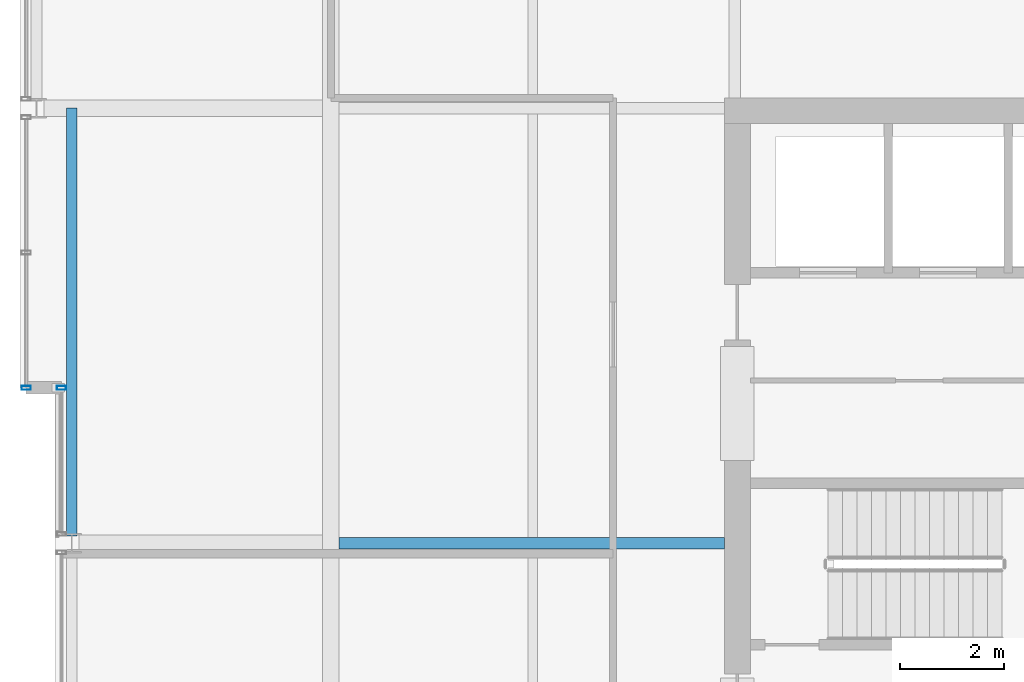
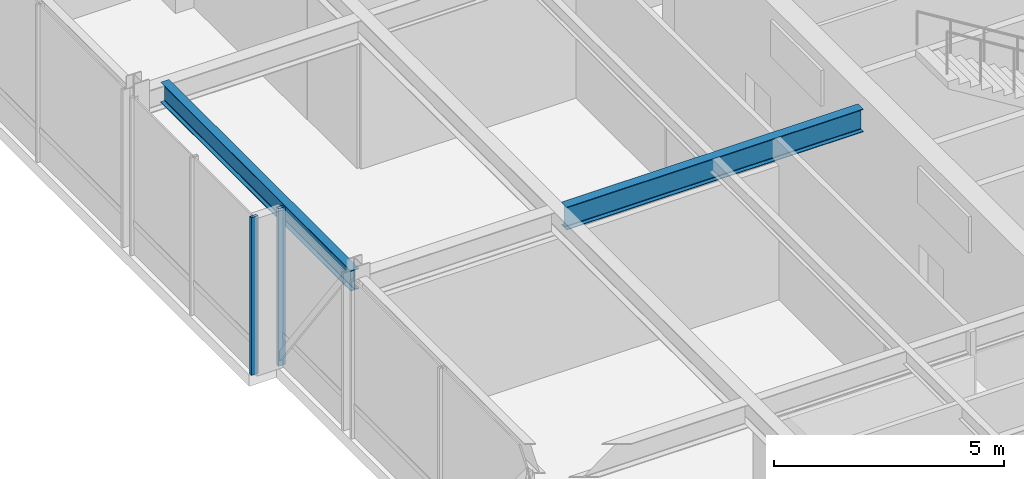
# One storey, part 11 of 32: 2 beams, 2 members, 2 elements without a shape of their own.
"""IFC4 building model written with IfcOpenShell, lengths in metres."""

from ifc_helpers import new_model, si_unit, direction, frame, origin, origin_2d, place, context, subcontext, project, spatial, hollow_rectangle, i_section, extrude, material, layer, layer_set, material_profile, profile_set, type_object, element, aggregate, save


model = new_model("IFC4")

# Units and contexts
model_context = context("Model", 3, precision=1e-05, world=origin(), true_north=direction((0.0, 1.0)))
body_context = subcontext(model_context, "Body", "Model", "MODEL_VIEW")
ifc_project = project(units=[si_unit("LENGTHUNIT", "METRE"), si_unit("AREAUNIT", "SQUARE_METRE"), si_unit("VOLUMEUNIT", "CUBIC_METRE"), si_unit("PLANEANGLEUNIT", "RADIAN"), si_unit("MASSUNIT", "GRAM", prefix="KILO")], contexts=[model_context])

# Site, building, storey
site_placement = place(None, origin())
site = spatial("IfcSite", under=ifc_project, at=site_placement, CompositionType="ELEMENT")
building_placement = place(site_placement, origin())
building = spatial("IfcBuilding", under=site, at=building_placement, Name="Drelvath Grand Hotel", CompositionType="ELEMENT")
storey_placement = place(building_placement, frame((0.0, 0.0, 255.5)))
storey = spatial("IfcBuildingStorey", under=building, at=storey_placement, Name="L67", CompositionType="ELEMENT", Elevation=255.5)

# Curtain wall, member
ifc_material_1 = material(Name="Platinum-Mist Anodised Aluminium Frame", Category="aluminium")
ifc_layer = layer(ifc_material_1, 0.199951171875)
ifc_layer_set = layer_set([ifc_layer], Name="Platinum-Mist Anodised Aluminium Frame")
curtain_wall_type = type_object("IfcCurtainWallType", Name="Stick Curtain Wall CW-05 Platinum Mist High-Rise", PredefinedType="NOTDEFINED", material=ifc_layer_set)
curtain_wall_1_placement = place(storey_placement, origin())
curtain_wall_1 = element("IfcCurtainWall", 1, at=curtain_wall_1_placement, inside=storey, type_object=curtain_wall_type, Name="L67 CW-05 Curtain Wall CW05-L67-WM2", PredefinedType="NOTDEFINED")
ifc_material_profile_1 = material_profile(ifc_material_1, hollow_rectangle(XDim=0.074951171875, YDim=0.179931640625, WallThickness=0.0048828125, at=origin_2d()), Name="HSS180X75X5")
ifc_profile_set_1 = profile_set([ifc_material_profile_1], Name="Platinum-Mist Anodised Aluminium Frame")
member_type = type_object("IfcMemberType", Name="Curtain Wall Vertical Mullion CW-05 HSS180X75X5", PredefinedType="MULLION", material=ifc_profile_set_1)
member_1_placement = place(storey_placement, frame((-21.39990234375, 30.0, 0.0), z_axis=(0.0, 0.0, 1.0), x_axis=(0.0, 1.0, 0.0)))
member_1 = element("IfcMember", 2, at=member_1_placement, type_object=member_type, Name="CW05-L67-WM2 Mullion 2", PredefinedType="MULLION", context=body_context, shape_type="SweptSolid", body=[
    extrude(hollow_rectangle(XDim=0.074951171875, YDim=0.179931640625, WallThickness=0.0048828125, at=origin_2d()), origin(), (0.0, 0.0, 1.0), 4.179931640625),
])
aggregate(curtain_wall_1, [member_1])

curtain_wall_2_placement = place(storey_placement, origin())
curtain_wall_2 = element("IfcCurtainWall", 3, at=curtain_wall_2_placement, inside=storey, type_object=curtain_wall_type, Name="L67 CW-05 Curtain Wall CW05-L67-WN1", PredefinedType="NOTDEFINED")
member_2_placement = place(storey_placement, frame((-22.080078125, 30.0, 0.0), z_axis=(0.0, 0.0, 1.0), x_axis=(0.0, 1.0, 0.0)))
member_2 = element("IfcMember", 4, at=member_2_placement, type_object=member_type, Name="CW05-L67-WN1 Mullion 1", PredefinedType="MULLION", context=body_context, shape_type="SweptSolid", body=[
    extrude(hollow_rectangle(XDim=0.074951171875, YDim=0.179931640625, WallThickness=0.0048828125, at=origin_2d()), origin(), (0.0, 0.0, 1.0), 4.179931640625),
])
aggregate(curtain_wall_2, [member_2])

# Beams
ifc_material_2 = material(Name="Steel ASTM A992 Gr 50", Category="steel")
ifc_material_profile_2 = material_profile(ifc_material_2, i_section(OverallWidth=0.210205078125, OverallDepth=0.53662109375, WebThickness=0.010986328125, FlangeThickness=0.017333984375, FilletRadius=0.01806640625, at=origin_2d()), Name="W21X68")
ifc_profile_set_2 = profile_set([ifc_material_profile_2], Name="Steel ASTM A992 Gr 50")
beam_type_1 = type_object("IfcBeamType", Name="Perimeter Spandrel Beam W21X68", PredefinedType="SPANDREL", material=ifc_profile_set_2)
beam_1_placement = place(storey_placement, frame((-21.199951171875, 27.139892578125, 3.91162109375), z_axis=(0.0, 1.0, 0.0), x_axis=(-1.0, 0.0, 0.0)))
element("IfcBeam", 5, at=beam_1_placement, inside=storey, type_object=beam_type_1, Name="L67 Spandrel West Mid N", PredefinedType="SPANDREL", context=body_context, shape_type="SweptSolid", body=[
    extrude(i_section(OverallWidth=0.210205078125, OverallDepth=0.53662109375, WebThickness=0.010986328125, FlangeThickness=0.017333984375, FilletRadius=0.01806640625, at=origin_2d()), origin(), (0.0, 0.0, 1.0), 8.260009765625),
])
ifc_material_profile_3 = material_profile(ifc_material_2, i_section(OverallWidth=0.228271484375, OverallDepth=0.607666015625, WebThickness=0.01123046875, FlangeThickness=0.017333984375, FilletRadius=0.02001953125, at=origin_2d()), Name="W24X76")
ifc_profile_set_3 = profile_set([ifc_material_profile_3], Name="Steel ASTM A992 Gr 50")
beam_type_2 = type_object("IfcBeamType", Name="Primary Floor Girder W24X76", PredefinedType="BEAM", material=ifc_profile_set_3)
beam_2_placement = place(storey_placement, frame((-16.0380859375, 27.0, 3.876220703125), z_axis=(1.0, 0.0, 0.0), x_axis=(0.0, 1.0, 0.0)))
element("IfcBeam", 6, at=beam_2_placement, inside=storey, type_object=beam_type_2, Name="L67 West Core Tie E", PredefinedType="BEAM", context=body_context, shape_type="SweptSolid", body=[
    extrude(i_section(OverallWidth=0.228271484375, OverallDepth=0.607666015625, WebThickness=0.01123046875, FlangeThickness=0.017333984375, FilletRadius=0.02001953125, at=origin_2d()), origin(), (0.0, 0.0, 1.0), 7.43798828125),
])

save(model, "model.ifc")
